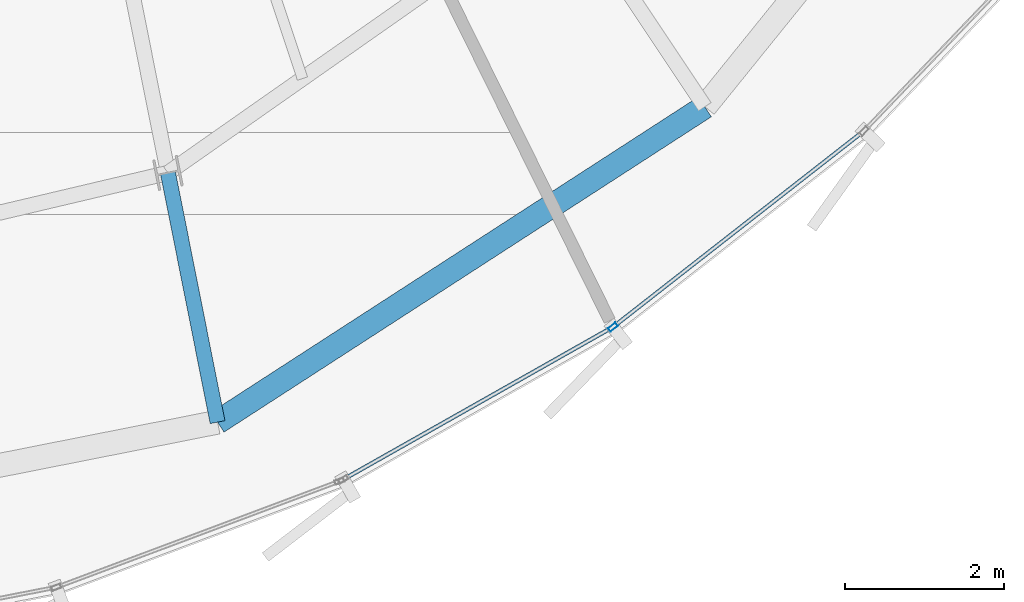
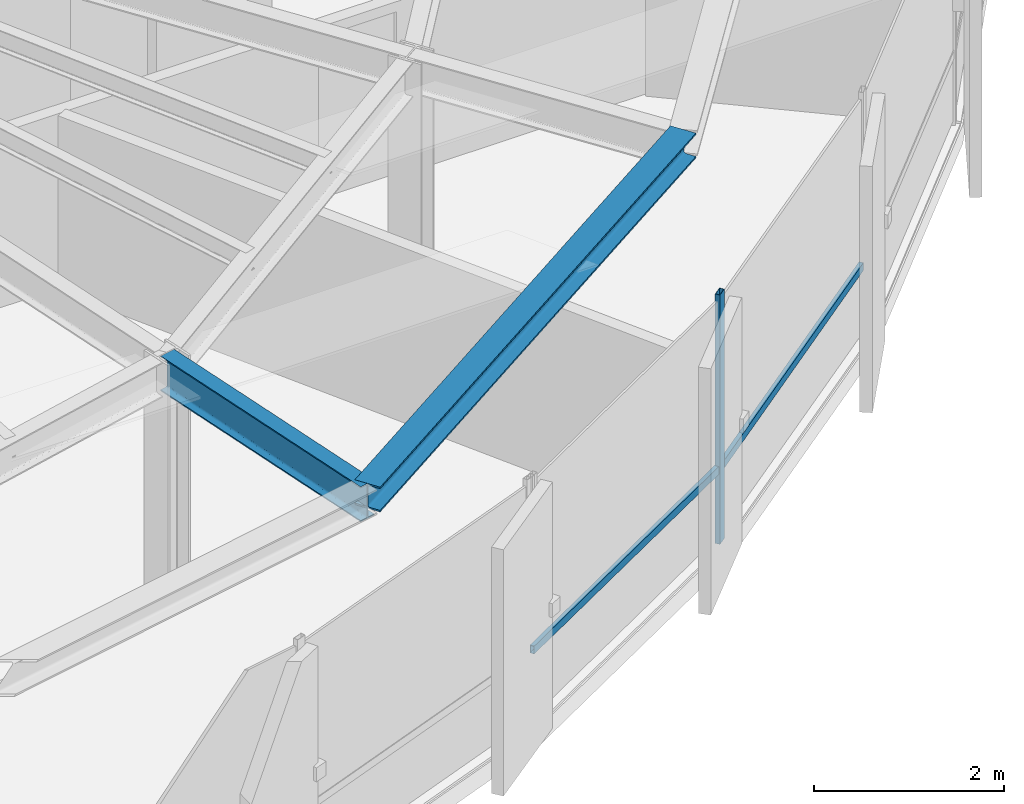
# One storey, part 7 of 33: 3 members, 2 beams, 1 element without a shape of its own.
"""IFC4 building model written with IfcOpenShell, lengths in metres."""

from ifc_helpers import new_model, si_unit, direction, frame, origin, origin_2d, place, context, subcontext, project, spatial, hollow_rectangle, i_section, extrude, source, transform, mapped, material, layer, layer_set, material_profile, profile_set, type_object, element, aggregate, save


model = new_model("IFC4")

# Units and contexts
model_context = context("Model", 3, precision=1e-05, world=origin(), true_north=direction((0.0, 1.0)))
body_context = subcontext(model_context, "Body", "Model", "MODEL_VIEW")
ifc_project = project(units=[si_unit("LENGTHUNIT", "METRE"), si_unit("AREAUNIT", "SQUARE_METRE"), si_unit("VOLUMEUNIT", "CUBIC_METRE"), si_unit("PLANEANGLEUNIT", "RADIAN"), si_unit("MASSUNIT", "GRAM", prefix="KILO"), si_unit("THERMODYNAMICTEMPERATUREUNIT", "KELVIN")], contexts=[model_context])

# Site, building, storey
site_placement = place(None, origin())
site = spatial("IfcSite", under=ifc_project, at=site_placement, CompositionType="ELEMENT")
building_placement = place(site_placement, origin())
building = spatial("IfcBuilding", under=site, at=building_placement, Name="Kethvar Cultural Tower", CompositionType="ELEMENT")
storey_placement = place(building_placement, frame((0.0, 0.0, 238.75)))
storey = spatial("IfcBuildingStorey", under=building, at=storey_placement, Name="L62", CompositionType="ELEMENT", Elevation=238.75)

# Beams
ifc_material_1 = material(Name="Steel S355J2", Category="steel")
ifc_material_profile_1 = material_profile(ifc_material_1, i_section(OverallWidth=0.18994140625, OverallDepth=0.449951171875, WebThickness=0.009521484375, FlangeThickness=0.0146484375, FilletRadius=0.02099609375, at=origin_2d()), Name="Steel S355J2 — IPE450")
ifc_profile_set_1 = profile_set([ifc_material_profile_1], Name="Steel S355J2 — IPE450")
beam_type_1 = type_object("IfcBeamType", Name="BM-IPE450", PredefinedType="BEAM", material=ifc_profile_set_1)
shared_shape_1 = source(origin(), body_context, "Body", "SweptSolid", [
    extrude(i_section(OverallWidth=0.18994140625, OverallDepth=0.449951171875, WebThickness=0.009521484375, FlangeThickness=0.0146484375, FilletRadius=0.02099609375, at=origin_2d()), origin(), (0.0, 0.0, 1.0), 3.199951171875),
])
beam_1_placement = place(storey_placement, frame((49.901611328125, 12.206787109375, 2.98291015625), z_axis=(0.195088965533, -0.980785550224, 0.0), x_axis=(0.980785550224, 0.195088965533, 0.0)))
element("IfcBeam", 1, at=beam_1_placement, inside=storey, type_object=beam_type_1, Name="L62 Perimeter Cantilever Beam RC-13", PredefinedType="BEAM", context=body_context, shape_type="MappedRepresentation", body=[
    mapped(shared_shape_1, transform((0.0, 0.0, 0.0), scale=1.0)),
])
ifc_material_profile_2 = material_profile(ifc_material_1, i_section(OverallWidth=0.300048828125, OverallDepth=0.320068359375, WebThickness=0.011474609375, FlangeThickness=0.0205078125, FilletRadius=0.027099609375, at=origin_2d()), Name="Steel S355J2 — HEB320")
ifc_profile_set_2 = profile_set([ifc_material_profile_2], Name="Steel S355J2 — HEB320")
beam_type_2 = type_object("IfcBeamType", Name="BM-SP320", PredefinedType="SPANDREL", material=ifc_profile_set_2)
shared_shape_2 = source(origin(), body_context, "Body", "SweptSolid", [
    extrude(i_section(OverallWidth=0.300048828125, OverallDepth=0.320068359375, WebThickness=0.011474609375, FlangeThickness=0.0205078125, FilletRadius=0.027099609375, at=origin_2d()), origin(), (0.0, 0.0, 1.0), 7.309326171875),
])
beam_2_placement = place(storey_placement, frame((50.52587890625, 9.068359375, 3.048095703125), z_axis=(0.839562091992, 0.543263742292, 0.0), x_axis=(-0.543263742292, 0.839562091992, 0.0)))
element("IfcBeam", 2, at=beam_2_placement, inside=storey, type_object=beam_type_2, Name="L62 Perimeter Spandrel Beam SP-13", PredefinedType="SPANDREL", context=body_context, shape_type="MappedRepresentation", body=[
    mapped(shared_shape_2, transform((0.0, 0.0, 0.0), scale=1.0)),
])

# Curtain wall, members
ifc_material_2 = material(Name="Aluminium 6063-T6", Category="aluminium")
ifc_layer = layer(ifc_material_2, 0.179931640625, Name="Aluminium 6063-T6", Category="aluminium")
ifc_layer_set = layer_set([ifc_layer], Name="Aluminium 6063-T6 (180 mm)")
curtain_wall_type = type_object("IfcCurtainWallType", Name="CW-SYS-05-Z56", PredefinedType="NOTDEFINED", material=ifc_layer_set)
curtain_wall_placement = place(storey_placement, origin())
curtain_wall = element("IfcCurtainWall", 3, at=curtain_wall_placement, inside=storey, type_object=curtain_wall_type, Name="L62 Curtain Wall Run 05", PredefinedType="NOTDEFINED")
ifc_material_profile_3 = material_profile(ifc_material_2, hollow_rectangle(XDim=0.054931640625, YDim=0.1201171875, WallThickness=0.00390625, at=origin_2d()), Name="Aluminium 6063-T6 — RHS120x55x4")
ifc_profile_set_3 = profile_set([ifc_material_profile_3], Name="Aluminium 6063-T6 — RHS120x55x4")
member_type_1 = type_object("IfcMemberType", Name="CW-SYS-05-Z56-MUL", PredefinedType="MULLION", material=ifc_profile_set_3)
shared_shape_3 = source(origin(), body_context, "Body", "SweptSolid", [
    extrude(hollow_rectangle(XDim=0.054931640625, YDim=0.1201171875, WallThickness=0.00390625, at=origin_2d()), origin(), (0.0, 0.0, 1.0), 3.2099609375),
])
member_1_placement = place(storey_placement, frame((55.504638671875, 10.26513671875, 0.0), z_axis=(0.0, 0.0, 1.0), x_axis=(-0.61579899977, 0.787903288407, 0.0)))
member_1 = element("IfcMember", 4, at=member_1_placement, type_object=member_type_1, Name="CW-L62-R05 Mullion 2", PredefinedType="MULLION", context=body_context, shape_type="MappedRepresentation", body=[
    mapped(shared_shape_3, transform((0.0, 0.0, 0.0), scale=1.0)),
])
ifc_material_profile_4 = material_profile(ifc_material_2, hollow_rectangle(XDim=0.050048828125, YDim=0.10009765625, WallThickness=0.00390625, at=origin_2d()), Name="Aluminium 6063-T6 — RHS100x50x4")
ifc_profile_set_4 = profile_set([ifc_material_profile_4], Name="Aluminium 6063-T6 — RHS100x50x4")
member_type_2 = type_object("IfcMemberType", Name="CW-SYS-05-Z56-TRN", PredefinedType="USERDEFINED", material=ifc_profile_set_4)
shared_shape_4 = source(origin(), body_context, "Body", "SweptSolid", [
    extrude(hollow_rectangle(XDim=0.050048828125, YDim=0.10009765625, WallThickness=0.00390625, at=origin_2d()), origin(), (0.0, 0.0, 1.0), 3.86865234375),
])
member_2_placement = place(storey_placement, frame((52.11474609375, 8.35009765625, 0.949951171875), z_axis=(0.87052522395, 0.492123799939, 0.0), x_axis=(-0.492123799939, 0.87052522395, 0.0)))
member_2 = element("IfcMember", 5, at=member_2_placement, type_object=member_type_2, Name="CW-L62-R05 Transom 1", ObjectType="TRANSOM", PredefinedType="USERDEFINED", context=body_context, shape_type="MappedRepresentation", body=[
    mapped(shared_shape_4, transform((0.0, 0.0, 0.0), scale=1.0)),
])
shared_shape_5 = source(origin(), body_context, "Body", "SweptSolid", [
    extrude(hollow_rectangle(XDim=0.050048828125, YDim=0.10009765625, WallThickness=0.00390625, at=origin_2d()), origin(), (0.0, 0.0, 1.0), 3.944580078125),
])
member_3_placement = place(storey_placement, frame((55.535888671875, 10.28955078125, 0.949951171875), z_axis=(0.78788360447, 0.615824184169, 0.0), x_axis=(-0.615824184169, 0.78788360447, 0.0)))
member_3 = element("IfcMember", 6, at=member_3_placement, type_object=member_type_2, Name="CW-L62-R05 Transom 2", ObjectType="TRANSOM", PredefinedType="USERDEFINED", context=body_context, shape_type="MappedRepresentation", body=[
    mapped(shared_shape_5, transform((0.0, 0.0, 0.0), scale=1.0)),
])
aggregate(curtain_wall, [member_1, member_2, member_3])

save(model, "model.ifc")
